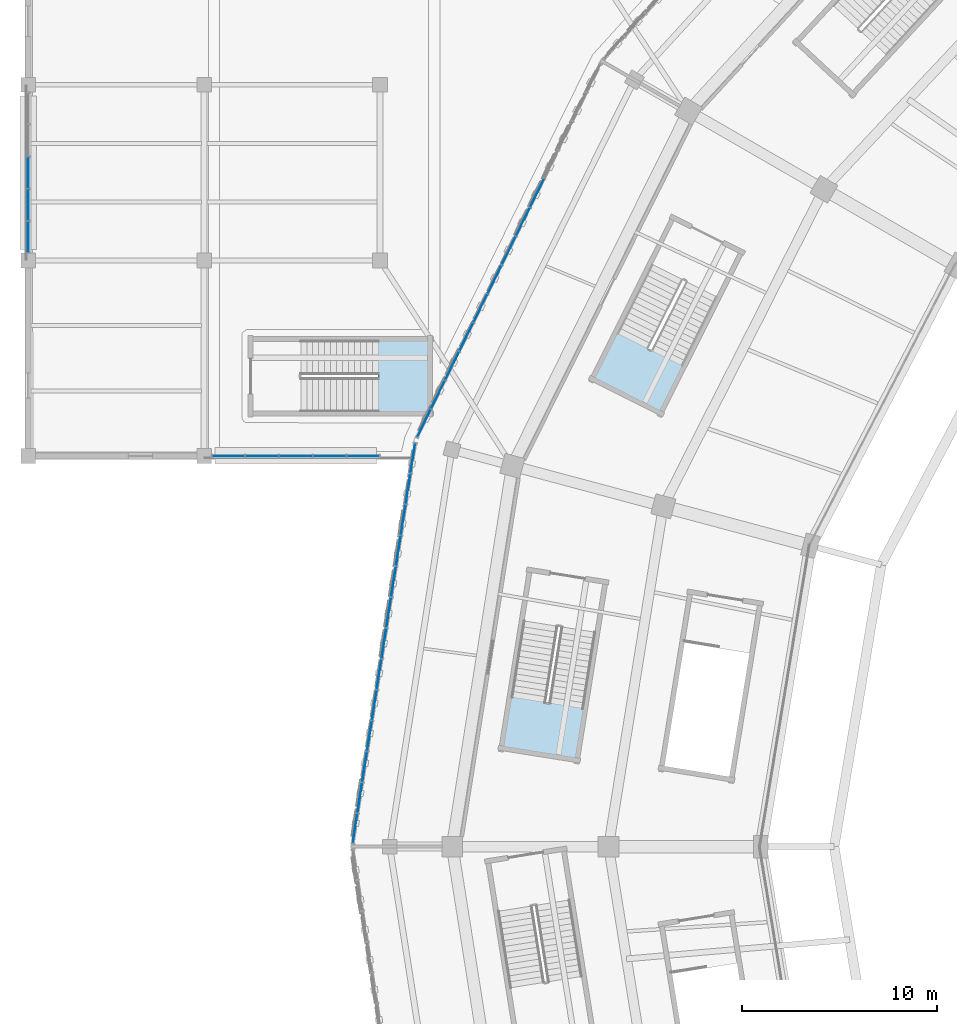
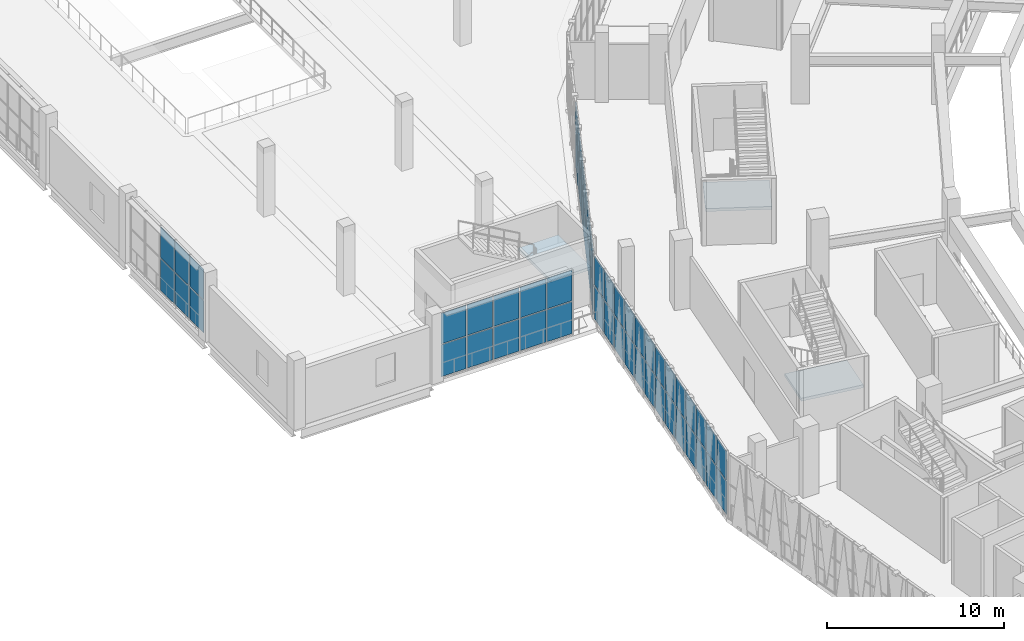
# One storey, part 80 of 179: 60 plates, 3 slabs, 7 elements without a shape of their own.
"""IFC4 building model written with IfcOpenShell, lengths in metres."""

from ifc_helpers import new_model, si_unit, direction, frame, origin, origin_2d, place, context, subcontext, project, spatial, polyline, rectangle, outline, extrude, material, layer, layer_set, type_object, element, aggregate, save


model = new_model("IFC4")

# Units and contexts
model_context = context("Model", 3, precision=1e-05, world=origin(), true_north=direction((0.0, 1.0)))
body_context = subcontext(model_context, "Body", "Model", "MODEL_VIEW")
ifc_project = project(units=[si_unit("LENGTHUNIT", "METRE"), si_unit("AREAUNIT", "SQUARE_METRE"), si_unit("VOLUMEUNIT", "CUBIC_METRE"), si_unit("PLANEANGLEUNIT", "RADIAN"), si_unit("MASSUNIT", "GRAM", prefix="KILO")], contexts=[model_context])

# Site, building, storey
site_placement = place(None, origin())
site = spatial("IfcSite", under=ifc_project, at=site_placement, CompositionType="ELEMENT")
building_placement = place(site_placement, origin())
building = spatial("IfcBuilding", under=site, at=building_placement, Name="Zevraka Park Crest Stadium", CompositionType="ELEMENT")
storey_placement = place(building_placement, frame((0.0, 0.0, 10.199951171875)))
storey = spatial("IfcBuildingStorey", under=building, at=storey_placement, Name="L02", CompositionType="ELEMENT", Elevation=10.199951171875)

# Curtain wall, plates
ifc_material_1 = material(Name="Anodised architectural aluminium and laminated safety glass", Category="aluminium")
curtain_wall_type_1 = type_object("IfcCurtainWallType", Name="CW06", PredefinedType="NOTDEFINED", material=ifc_material_1)
curtain_wall_1_placement = place(storey_placement, origin())
curtain_wall_1 = element("IfcCurtainWall", 1, at=curtain_wall_1_placement, inside=storey, type_object=curtain_wall_type_1, Name="Unitised Ring Curtain Wall CW06 L02-11", PredefinedType="NOTDEFINED")
ifc_material_2 = material(Name="Solar-control laminated double glazing", Category="glass")
ifc_layer_1 = layer(ifc_material_2, 0.028076171875)
ifc_layer_set_1 = layer_set([ifc_layer_1], Name="Solar-control laminated double glazing")
plate_type_1 = type_object("IfcPlateType", Name="CP06", PredefinedType="CURTAIN_PANEL", material=ifc_layer_set_1)
plate_1_placement = place(storey_placement, frame((19.684814453125, 111.8759765625, 0.070068359375), z_axis=(0.0, 0.0, 1.0), x_axis=(-0.154274252598, -0.988028063865, 0.0)))
plate_1 = element("IfcPlate", 2, at=plate_1_placement, type_object=plate_type_1, Name="CW06 panel 1.1", PredefinedType="CURTAIN_PANEL", context=body_context, shape_type="SweptSolid", body=[
    extrude(rectangle(XDim=1.49560546875, YDim=0.028076171875, at=origin_2d()), origin(), (0.0, 0.0, 1.0), 2.294921875),
])
plate_2_placement = place(storey_placement, frame((19.684814453125, 111.8759765625, 2.43505859375), z_axis=(0.0, 0.0, 1.0), x_axis=(-0.154274252598, -0.988028063865, 0.0)))
plate_2 = element("IfcPlate", 3, at=plate_2_placement, type_object=plate_type_1, Name="CW06 panel 1.2", PredefinedType="CURTAIN_PANEL", context=body_context, shape_type="SweptSolid", body=[
    extrude(rectangle(XDim=1.49560546875, YDim=0.028076171875, at=origin_2d()), origin(), (0.0, 0.0, 1.0), 1.9951171875),
])
plate_3_placement = place(storey_placement, frame((19.440673828125, 110.31201171875, 0.070068359375), z_axis=(0.0, 0.0, 1.0), x_axis=(-0.154274252598, -0.988028063865, 0.0)))
plate_3 = element("IfcPlate", 4, at=plate_3_placement, type_object=plate_type_1, Name="CW06 panel 2.1", PredefinedType="CURTAIN_PANEL", context=body_context, shape_type="SweptSolid", body=[
    extrude(rectangle(XDim=1.530517578125, YDim=0.028076171875, at=origin_2d()), origin(), (0.0, 0.0, 1.0), 2.294921875),
])
plate_4_placement = place(storey_placement, frame((19.440673828125, 110.31201171875, 2.43505859375), z_axis=(0.0, 0.0, 1.0), x_axis=(-0.154274252598, -0.988028063865, 0.0)))
plate_4 = element("IfcPlate", 5, at=plate_4_placement, type_object=plate_type_1, Name="CW06 panel 2.2", PredefinedType="CURTAIN_PANEL", context=body_context, shape_type="SweptSolid", body=[
    extrude(rectangle(XDim=1.530517578125, YDim=0.028076171875, at=origin_2d()), origin(), (0.0, 0.0, 1.0), 1.9951171875),
])
plate_5_placement = place(storey_placement, frame((19.193603515625, 108.73046875, 0.070068359375), z_axis=(0.0, 0.0, 1.0), x_axis=(-0.154274252598, -0.988028063865, 0.0)))
plate_5 = element("IfcPlate", 6, at=plate_5_placement, type_object=plate_type_1, Name="CW06 panel 3.1", PredefinedType="CURTAIN_PANEL", context=body_context, shape_type="SweptSolid", body=[
    extrude(rectangle(XDim=1.530517578125, YDim=0.028076171875, at=origin_2d()), origin(), (0.0, 0.0, 1.0), 2.294921875),
])
plate_6_placement = place(storey_placement, frame((19.193603515625, 108.73046875, 2.43505859375), z_axis=(0.0, 0.0, 1.0), x_axis=(-0.154274252598, -0.988028063865, 0.0)))
plate_6 = element("IfcPlate", 7, at=plate_6_placement, type_object=plate_type_1, Name="CW06 panel 3.2", PredefinedType="CURTAIN_PANEL", context=body_context, shape_type="SweptSolid", body=[
    extrude(rectangle(XDim=1.530517578125, YDim=0.028076171875, at=origin_2d()), origin(), (0.0, 0.0, 1.0), 1.9951171875),
])
plate_7_placement = place(storey_placement, frame((18.94677734375, 107.149169921875, 0.070068359375), z_axis=(0.0, 0.0, 1.0), x_axis=(-0.154274252598, -0.988028063865, 0.0)))
plate_7 = element("IfcPlate", 8, at=plate_7_placement, type_object=plate_type_1, Name="CW06 panel 4.1", PredefinedType="CURTAIN_PANEL", context=body_context, shape_type="SweptSolid", body=[
    extrude(rectangle(XDim=1.530517578125, YDim=0.028076171875, at=origin_2d()), origin(), (0.0, 0.0, 1.0), 2.294921875),
])
plate_8_placement = place(storey_placement, frame((18.94677734375, 107.149169921875, 2.43505859375), z_axis=(0.0, 0.0, 1.0), x_axis=(-0.154274252598, -0.988028063865, 0.0)))
plate_8 = element("IfcPlate", 9, at=plate_8_placement, type_object=plate_type_1, Name="CW06 panel 4.2", PredefinedType="CURTAIN_PANEL", context=body_context, shape_type="SweptSolid", body=[
    extrude(rectangle(XDim=1.530517578125, YDim=0.028076171875, at=origin_2d()), origin(), (0.0, 0.0, 1.0), 1.9951171875),
])
plate_9_placement = place(storey_placement, frame((18.699951171875, 105.56787109375, 0.070068359375), z_axis=(0.0, 0.0, 1.0), x_axis=(-0.154274252598, -0.988028063865, 0.0)))
plate_9 = element("IfcPlate", 10, at=plate_9_placement, type_object=plate_type_1, Name="CW06 panel 5.1", PredefinedType="CURTAIN_PANEL", context=body_context, shape_type="SweptSolid", body=[
    extrude(rectangle(XDim=1.530517578125, YDim=0.028076171875, at=origin_2d()), origin(), (0.0, 0.0, 1.0), 2.294921875),
])
plate_10_placement = place(storey_placement, frame((18.699951171875, 105.56787109375, 2.43505859375), z_axis=(0.0, 0.0, 1.0), x_axis=(-0.154274252598, -0.988028063865, 0.0)))
plate_10 = element("IfcPlate", 11, at=plate_10_placement, type_object=plate_type_1, Name="CW06 panel 5.2", PredefinedType="CURTAIN_PANEL", context=body_context, shape_type="SweptSolid", body=[
    extrude(rectangle(XDim=1.530517578125, YDim=0.028076171875, at=origin_2d()), origin(), (0.0, 0.0, 1.0), 1.9951171875),
])
plate_11_placement = place(storey_placement, frame((18.452880859375, 103.986328125, 0.070068359375), z_axis=(0.0, 0.0, 1.0), x_axis=(-0.154274252598, -0.988028063865, 0.0)))
plate_11 = element("IfcPlate", 12, at=plate_11_placement, type_object=plate_type_1, Name="CW06 panel 6.1", PredefinedType="CURTAIN_PANEL", context=body_context, shape_type="SweptSolid", body=[
    extrude(rectangle(XDim=1.530517578125, YDim=0.028076171875, at=origin_2d()), origin(), (0.0, 0.0, 1.0), 2.294921875),
])
plate_12_placement = place(storey_placement, frame((18.452880859375, 103.986328125, 2.43505859375), z_axis=(0.0, 0.0, 1.0), x_axis=(-0.154274252598, -0.988028063865, 0.0)))
plate_12 = element("IfcPlate", 13, at=plate_12_placement, type_object=plate_type_1, Name="CW06 panel 6.2", PredefinedType="CURTAIN_PANEL", context=body_context, shape_type="SweptSolid", body=[
    extrude(rectangle(XDim=1.530517578125, YDim=0.028076171875, at=origin_2d()), origin(), (0.0, 0.0, 1.0), 1.9951171875),
])
plate_13_placement = place(storey_placement, frame((18.2060546875, 102.405029296875, 0.070068359375), z_axis=(0.0, 0.0, 1.0), x_axis=(-0.154274252598, -0.988028063865, 0.0)))
plate_13 = element("IfcPlate", 14, at=plate_13_placement, type_object=plate_type_1, Name="CW06 panel 7.1", PredefinedType="CURTAIN_PANEL", context=body_context, shape_type="SweptSolid", body=[
    extrude(rectangle(XDim=1.530517578125, YDim=0.028076171875, at=origin_2d()), origin(), (0.0, 0.0, 1.0), 2.294921875),
])
plate_14_placement = place(storey_placement, frame((18.2060546875, 102.405029296875, 2.43505859375), z_axis=(0.0, 0.0, 1.0), x_axis=(-0.154274252598, -0.988028063865, 0.0)))
plate_14 = element("IfcPlate", 15, at=plate_14_placement, type_object=plate_type_1, Name="CW06 panel 7.2", PredefinedType="CURTAIN_PANEL", context=body_context, shape_type="SweptSolid", body=[
    extrude(rectangle(XDim=1.530517578125, YDim=0.028076171875, at=origin_2d()), origin(), (0.0, 0.0, 1.0), 1.9951171875),
])
plate_15_placement = place(storey_placement, frame((17.958984375, 100.82373046875, 0.070068359375), z_axis=(0.0, 0.0, 1.0), x_axis=(-0.154274252598, -0.988028063865, 0.0)))
plate_15 = element("IfcPlate", 16, at=plate_15_placement, type_object=plate_type_1, Name="CW06 panel 8.1", PredefinedType="CURTAIN_PANEL", context=body_context, shape_type="SweptSolid", body=[
    extrude(rectangle(XDim=1.530517578125, YDim=0.028076171875, at=origin_2d()), origin(), (0.0, 0.0, 1.0), 2.294921875),
])
plate_16_placement = place(storey_placement, frame((17.958984375, 100.82373046875, 2.43505859375), z_axis=(0.0, 0.0, 1.0), x_axis=(-0.154274252598, -0.988028063865, 0.0)))
plate_16 = element("IfcPlate", 17, at=plate_16_placement, type_object=plate_type_1, Name="CW06 panel 8.2", PredefinedType="CURTAIN_PANEL", context=body_context, shape_type="SweptSolid", body=[
    extrude(rectangle(XDim=1.530517578125, YDim=0.028076171875, at=origin_2d()), origin(), (0.0, 0.0, 1.0), 1.9951171875),
])
plate_17_placement = place(storey_placement, frame((17.712158203125, 99.2421875, 0.070068359375), z_axis=(0.0, 0.0, 1.0), x_axis=(-0.154274252598, -0.988028063865, 0.0)))
plate_17 = element("IfcPlate", 18, at=plate_17_placement, type_object=plate_type_1, Name="CW06 panel 9.1", PredefinedType="CURTAIN_PANEL", context=body_context, shape_type="SweptSolid", body=[
    extrude(rectangle(XDim=1.530517578125, YDim=0.028076171875, at=origin_2d()), origin(), (0.0, 0.0, 1.0), 2.294921875),
])
plate_18_placement = place(storey_placement, frame((17.712158203125, 99.2421875, 2.43505859375), z_axis=(0.0, 0.0, 1.0), x_axis=(-0.154274252598, -0.988028063865, 0.0)))
plate_18 = element("IfcPlate", 19, at=plate_18_placement, type_object=plate_type_1, Name="CW06 panel 9.2", PredefinedType="CURTAIN_PANEL", context=body_context, shape_type="SweptSolid", body=[
    extrude(rectangle(XDim=1.530517578125, YDim=0.028076171875, at=origin_2d()), origin(), (0.0, 0.0, 1.0), 1.9951171875),
])
plate_19_placement = place(storey_placement, frame((17.46533203125, 97.660888671875, 0.070068359375), z_axis=(0.0, 0.0, 1.0), x_axis=(-0.154274252598, -0.988028063865, 0.0)))
plate_19 = element("IfcPlate", 20, at=plate_19_placement, type_object=plate_type_1, Name="CW06 panel 10.1", PredefinedType="CURTAIN_PANEL", context=body_context, shape_type="SweptSolid", body=[
    extrude(rectangle(XDim=1.530517578125, YDim=0.028076171875, at=origin_2d()), origin(), (0.0, 0.0, 1.0), 2.294921875),
])
plate_20_placement = place(storey_placement, frame((17.46533203125, 97.660888671875, 2.43505859375), z_axis=(0.0, 0.0, 1.0), x_axis=(-0.154274252598, -0.988028063865, 0.0)))
plate_20 = element("IfcPlate", 21, at=plate_20_placement, type_object=plate_type_1, Name="CW06 panel 10.2", PredefinedType="CURTAIN_PANEL", context=body_context, shape_type="SweptSolid", body=[
    extrude(rectangle(XDim=1.530517578125, YDim=0.028076171875, at=origin_2d()), origin(), (0.0, 0.0, 1.0), 1.9951171875),
])
plate_21_placement = place(storey_placement, frame((17.21826171875, 96.079345703125, 0.070068359375), z_axis=(0.0, 0.0, 1.0), x_axis=(-0.154274252598, -0.988028063865, 0.0)))
plate_21 = element("IfcPlate", 22, at=plate_21_placement, type_object=plate_type_1, Name="CW06 panel 11.1", PredefinedType="CURTAIN_PANEL", context=body_context, shape_type="SweptSolid", body=[
    extrude(rectangle(XDim=1.530517578125, YDim=0.028076171875, at=origin_2d()), origin(), (0.0, 0.0, 1.0), 2.294921875),
])
plate_22_placement = place(storey_placement, frame((17.21826171875, 96.079345703125, 2.43505859375), z_axis=(0.0, 0.0, 1.0), x_axis=(-0.154274252598, -0.988028063865, 0.0)))
plate_22 = element("IfcPlate", 23, at=plate_22_placement, type_object=plate_type_1, Name="CW06 panel 11.2", PredefinedType="CURTAIN_PANEL", context=body_context, shape_type="SweptSolid", body=[
    extrude(rectangle(XDim=1.530517578125, YDim=0.028076171875, at=origin_2d()), origin(), (0.0, 0.0, 1.0), 1.9951171875),
])
plate_23_placement = place(storey_placement, frame((16.971435546875, 94.498046875, 0.070068359375), z_axis=(0.0, 0.0, 1.0), x_axis=(-0.154274252598, -0.988028063865, 0.0)))
plate_23 = element("IfcPlate", 24, at=plate_23_placement, type_object=plate_type_1, Name="CW06 panel 12.1", PredefinedType="CURTAIN_PANEL", context=body_context, shape_type="SweptSolid", body=[
    extrude(rectangle(XDim=1.530517578125, YDim=0.028076171875, at=origin_2d()), origin(), (0.0, 0.0, 1.0), 2.294921875),
])
plate_24_placement = place(storey_placement, frame((16.971435546875, 94.498046875, 2.43505859375), z_axis=(0.0, 0.0, 1.0), x_axis=(-0.154274252598, -0.988028063865, 0.0)))
plate_24 = element("IfcPlate", 25, at=plate_24_placement, type_object=plate_type_1, Name="CW06 panel 12.2", PredefinedType="CURTAIN_PANEL", context=body_context, shape_type="SweptSolid", body=[
    extrude(rectangle(XDim=1.530517578125, YDim=0.028076171875, at=origin_2d()), origin(), (0.0, 0.0, 1.0), 1.9951171875),
])
plate_25_placement = place(storey_placement, frame((16.72705078125, 92.93408203125, 0.070068359375), z_axis=(0.0, 0.0, 1.0), x_axis=(-0.154274252598, -0.988028063865, 0.0)))
plate_25 = element("IfcPlate", 26, at=plate_25_placement, type_object=plate_type_1, Name="CW06 panel 13.1", PredefinedType="CURTAIN_PANEL", context=body_context, shape_type="SweptSolid", body=[
    extrude(rectangle(XDim=1.49560546875, YDim=0.028076171875, at=origin_2d()), origin(), (0.0, 0.0, 1.0), 2.294921875),
])
plate_26_placement = place(storey_placement, frame((16.72705078125, 92.93408203125, 2.43505859375), z_axis=(0.0, 0.0, 1.0), x_axis=(-0.154274252598, -0.988028063865, 0.0)))
plate_26 = element("IfcPlate", 27, at=plate_26_placement, type_object=plate_type_1, Name="CW06 panel 13.2", PredefinedType="CURTAIN_PANEL", context=body_context, shape_type="SweptSolid", body=[
    extrude(rectangle(XDim=1.49560546875, YDim=0.028076171875, at=origin_2d()), origin(), (0.0, 0.0, 1.0), 1.9951171875),
])
aggregate(curtain_wall_1, [plate_1, plate_2, plate_3, plate_4, plate_5, plate_6, plate_7, plate_8, plate_9, plate_10, plate_11, plate_12, plate_13, plate_14, plate_15, plate_16, plate_17, plate_18, plate_19, plate_20, plate_21, plate_22, plate_23, plate_24, plate_25, plate_26])

ifc_material_3 = material(Name="Anodised architectural aluminium and laminated safety glass", Category="aluminium")
curtain_wall_type_2 = type_object("IfcCurtainWallType", Name="CW07", PredefinedType="NOTDEFINED", material=ifc_material_3)
curtain_wall_2_placement = place(storey_placement, origin())
curtain_wall_2 = element("IfcCurtainWall", 28, at=curtain_wall_2_placement, inside=storey, type_object=curtain_wall_type_2, Name="Unitised Ring Curtain Wall CW07 L02-10", PredefinedType="NOTDEFINED")
ifc_material_4 = material(Name="Solar-control laminated double glazing", Category="glass")
ifc_layer_2 = layer(ifc_material_4, 0.028076171875)
ifc_layer_set_2 = layer_set([ifc_layer_2], Name="Solar-control laminated double glazing")
plate_type_2 = type_object("IfcPlateType", Name="CP07", PredefinedType="CURTAIN_PANEL", material=ifc_layer_set_2)
plate_27_placement = place(storey_placement, frame((26.045166015625, 125.455322265625, 0.06005859375), z_axis=(0.0, 0.0, 1.0), x_axis=(-0.441021032455, -0.897496768201, 0.0)))
plate_27 = element("IfcPlate", 29, at=plate_27_placement, type_object=plate_type_2, Name="CW07 panel 5.1", PredefinedType="CURTAIN_PANEL", context=body_context, shape_type="SweptSolid", body=[
    extrude(rectangle(XDim=1.58251953125, YDim=0.028076171875, at=origin_2d()), origin(), (0.0, 0.0, 1.0), 2.31005859375),
])
plate_28_placement = place(storey_placement, frame((26.045166015625, 125.455322265625, 2.43017578125), z_axis=(0.0, 0.0, 1.0), x_axis=(-0.441021032455, -0.897496768201, 0.0)))
plate_28 = element("IfcPlate", 30, at=plate_28_placement, type_object=plate_type_2, Name="CW07 panel 5.2", PredefinedType="CURTAIN_PANEL", context=body_context, shape_type="SweptSolid", body=[
    extrude(rectangle(XDim=1.58251953125, YDim=0.028076171875, at=origin_2d()), origin(), (0.0, 0.0, 1.0), 2.010009765625),
])
plate_29_placement = place(storey_placement, frame((25.32080078125, 123.981201171875, 0.06005859375), z_axis=(0.0, 0.0, 1.0), x_axis=(-0.441021032455, -0.897496768201, 0.0)))
plate_29 = element("IfcPlate", 31, at=plate_29_placement, type_object=plate_type_2, Name="CW07 panel 6.1", PredefinedType="CURTAIN_PANEL", context=body_context, shape_type="SweptSolid", body=[
    extrude(rectangle(XDim=1.58251953125, YDim=0.028076171875, at=origin_2d()), origin(), (0.0, 0.0, 1.0), 2.31005859375),
])
plate_30_placement = place(storey_placement, frame((25.32080078125, 123.981201171875, 2.43017578125), z_axis=(0.0, 0.0, 1.0), x_axis=(-0.441021032455, -0.897496768201, 0.0)))
plate_30 = element("IfcPlate", 32, at=plate_30_placement, type_object=plate_type_2, Name="CW07 panel 6.2", PredefinedType="CURTAIN_PANEL", context=body_context, shape_type="SweptSolid", body=[
    extrude(rectangle(XDim=1.58251953125, YDim=0.028076171875, at=origin_2d()), origin(), (0.0, 0.0, 1.0), 2.010009765625),
])
plate_31_placement = place(storey_placement, frame((24.596435546875, 122.507080078125, 0.06005859375), z_axis=(0.0, 0.0, 1.0), x_axis=(-0.441021032455, -0.897496768201, 0.0)))
plate_31 = element("IfcPlate", 33, at=plate_31_placement, type_object=plate_type_2, Name="CW07 panel 7.1", PredefinedType="CURTAIN_PANEL", context=body_context, shape_type="SweptSolid", body=[
    extrude(rectangle(XDim=1.58251953125, YDim=0.028076171875, at=origin_2d()), origin(), (0.0, 0.0, 1.0), 2.31005859375),
])
plate_32_placement = place(storey_placement, frame((24.596435546875, 122.507080078125, 2.43017578125), z_axis=(0.0, 0.0, 1.0), x_axis=(-0.441021032455, -0.897496768201, 0.0)))
plate_32 = element("IfcPlate", 34, at=plate_32_placement, type_object=plate_type_2, Name="CW07 panel 7.2", PredefinedType="CURTAIN_PANEL", context=body_context, shape_type="SweptSolid", body=[
    extrude(rectangle(XDim=1.58251953125, YDim=0.028076171875, at=origin_2d()), origin(), (0.0, 0.0, 1.0), 2.010009765625),
])
plate_33_placement = place(storey_placement, frame((23.8720703125, 121.032958984375, 0.06005859375), z_axis=(0.0, 0.0, 1.0), x_axis=(-0.441021032455, -0.897496768201, 0.0)))
plate_33 = element("IfcPlate", 35, at=plate_33_placement, type_object=plate_type_2, Name="CW07 panel 8.1", PredefinedType="CURTAIN_PANEL", context=body_context, shape_type="SweptSolid", body=[
    extrude(rectangle(XDim=1.58251953125, YDim=0.028076171875, at=origin_2d()), origin(), (0.0, 0.0, 1.0), 2.31005859375),
])
plate_34_placement = place(storey_placement, frame((23.8720703125, 121.032958984375, 2.43017578125), z_axis=(0.0, 0.0, 1.0), x_axis=(-0.441021032455, -0.897496768201, 0.0)))
plate_34 = element("IfcPlate", 36, at=plate_34_placement, type_object=plate_type_2, Name="CW07 panel 8.2", PredefinedType="CURTAIN_PANEL", context=body_context, shape_type="SweptSolid", body=[
    extrude(rectangle(XDim=1.58251953125, YDim=0.028076171875, at=origin_2d()), origin(), (0.0, 0.0, 1.0), 2.010009765625),
])
plate_35_placement = place(storey_placement, frame((23.147705078125, 119.55859375, 0.06005859375), z_axis=(0.0, 0.0, 1.0), x_axis=(-0.441021032455, -0.897496768201, 0.0)))
plate_35 = element("IfcPlate", 37, at=plate_35_placement, type_object=plate_type_2, Name="CW07 panel 9.1", PredefinedType="CURTAIN_PANEL", context=body_context, shape_type="SweptSolid", body=[
    extrude(rectangle(XDim=1.58251953125, YDim=0.028076171875, at=origin_2d()), origin(), (0.0, 0.0, 1.0), 2.31005859375),
])
plate_36_placement = place(storey_placement, frame((23.147705078125, 119.55859375, 2.43017578125), z_axis=(0.0, 0.0, 1.0), x_axis=(-0.441021032455, -0.897496768201, 0.0)))
plate_36 = element("IfcPlate", 38, at=plate_36_placement, type_object=plate_type_2, Name="CW07 panel 9.2", PredefinedType="CURTAIN_PANEL", context=body_context, shape_type="SweptSolid", body=[
    extrude(rectangle(XDim=1.58251953125, YDim=0.028076171875, at=origin_2d()), origin(), (0.0, 0.0, 1.0), 2.010009765625),
])
plate_37_placement = place(storey_placement, frame((22.42333984375, 118.08447265625, 0.06005859375), z_axis=(0.0, 0.0, 1.0), x_axis=(-0.441021032455, -0.897496768201, 0.0)))
plate_37 = element("IfcPlate", 39, at=plate_37_placement, type_object=plate_type_2, Name="CW07 panel 10.1", PredefinedType="CURTAIN_PANEL", context=body_context, shape_type="SweptSolid", body=[
    extrude(rectangle(XDim=1.58251953125, YDim=0.028076171875, at=origin_2d()), origin(), (0.0, 0.0, 1.0), 2.31005859375),
])
plate_38_placement = place(storey_placement, frame((22.42333984375, 118.08447265625, 2.43017578125), z_axis=(0.0, 0.0, 1.0), x_axis=(-0.441021032455, -0.897496768201, 0.0)))
plate_38 = element("IfcPlate", 40, at=plate_38_placement, type_object=plate_type_2, Name="CW07 panel 10.2", PredefinedType="CURTAIN_PANEL", context=body_context, shape_type="SweptSolid", body=[
    extrude(rectangle(XDim=1.58251953125, YDim=0.028076171875, at=origin_2d()), origin(), (0.0, 0.0, 1.0), 2.010009765625),
])
plate_39_placement = place(storey_placement, frame((21.698974609375, 116.6103515625, 0.06005859375), z_axis=(0.0, 0.0, 1.0), x_axis=(-0.441021032455, -0.897496768201, 0.0)))
plate_39 = element("IfcPlate", 41, at=plate_39_placement, type_object=plate_type_2, Name="CW07 panel 11.1", PredefinedType="CURTAIN_PANEL", context=body_context, shape_type="SweptSolid", body=[
    extrude(rectangle(XDim=1.58251953125, YDim=0.028076171875, at=origin_2d()), origin(), (0.0, 0.0, 1.0), 2.31005859375),
])
plate_40_placement = place(storey_placement, frame((21.698974609375, 116.6103515625, 2.43017578125), z_axis=(0.0, 0.0, 1.0), x_axis=(-0.441021032455, -0.897496768201, 0.0)))
plate_40 = element("IfcPlate", 42, at=plate_40_placement, type_object=plate_type_2, Name="CW07 panel 11.2", PredefinedType="CURTAIN_PANEL", context=body_context, shape_type="SweptSolid", body=[
    extrude(rectangle(XDim=1.58251953125, YDim=0.028076171875, at=origin_2d()), origin(), (0.0, 0.0, 1.0), 2.010009765625),
])
plate_41_placement = place(storey_placement, frame((20.974609375, 115.13623046875, 0.06005859375), z_axis=(0.0, 0.0, 1.0), x_axis=(-0.441021032455, -0.897496768201, 0.0)))
plate_41 = element("IfcPlate", 43, at=plate_41_placement, type_object=plate_type_2, Name="CW07 panel 12.1", PredefinedType="CURTAIN_PANEL", context=body_context, shape_type="SweptSolid", body=[
    extrude(rectangle(XDim=1.58251953125, YDim=0.028076171875, at=origin_2d()), origin(), (0.0, 0.0, 1.0), 2.31005859375),
])
plate_42_placement = place(storey_placement, frame((20.974609375, 115.13623046875, 2.43017578125), z_axis=(0.0, 0.0, 1.0), x_axis=(-0.441021032455, -0.897496768201, 0.0)))
plate_42 = element("IfcPlate", 44, at=plate_42_placement, type_object=plate_type_2, Name="CW07 panel 12.2", PredefinedType="CURTAIN_PANEL", context=body_context, shape_type="SweptSolid", body=[
    extrude(rectangle(XDim=1.58251953125, YDim=0.028076171875, at=origin_2d()), origin(), (0.0, 0.0, 1.0), 2.010009765625),
])
plate_43_placement = place(storey_placement, frame((20.2568359375, 113.675537109375, 0.06005859375), z_axis=(0.0, 0.0, 1.0), x_axis=(-0.441021032455, -0.897496768201, 0.0)))
plate_43 = element("IfcPlate", 45, at=plate_43_placement, type_object=plate_type_2, Name="CW07 panel 13.1", PredefinedType="CURTAIN_PANEL", context=body_context, shape_type="SweptSolid", body=[
    extrude(rectangle(XDim=1.552490234375, YDim=0.028076171875, at=origin_2d()), origin(), (0.0, 0.0, 1.0), 2.31005859375),
])
plate_44_placement = place(storey_placement, frame((20.2568359375, 113.675537109375, 2.43017578125), z_axis=(0.0, 0.0, 1.0), x_axis=(-0.441021032455, -0.897496768201, 0.0)))
plate_44 = element("IfcPlate", 46, at=plate_44_placement, type_object=plate_type_2, Name="CW07 panel 13.2", PredefinedType="CURTAIN_PANEL", context=body_context, shape_type="SweptSolid", body=[
    extrude(rectangle(XDim=1.552490234375, YDim=0.028076171875, at=origin_2d()), origin(), (0.0, 0.0, 1.0), 2.010009765625),
])
aggregate(curtain_wall_2, [plate_27, plate_28, plate_29, plate_30, plate_31, plate_32, plate_33, plate_34, plate_35, plate_36, plate_37, plate_38, plate_39, plate_40, plate_41, plate_42, plate_43, plate_44])

ifc_material_5 = material(Name="Anodised architectural aluminium and laminated safety glass", Category="aluminium")
curtain_wall_type_3 = type_object("IfcCurtainWallType", Name="CW29", PredefinedType="NOTDEFINED", material=ifc_material_5)
curtain_wall_3_placement = place(storey_placement, origin())
curtain_wall_3 = element("IfcCurtainWall", 47, at=curtain_wall_3_placement, inside=storey, type_object=curtain_wall_type_3, Name="Wing Curtain Wall CW29 L02-NW-W-2", PredefinedType="NOTDEFINED")
ifc_material_6 = material(Name="Solar-control laminated double glazing", Category="glass")
ifc_layer_3 = layer(ifc_material_6, 0.035888671875)
ifc_layer_set_3 = layer_set([ifc_layer_3], Name="Solar-control laminated double glazing")
plate_type_3 = type_object("IfcPlateType", Name="CP29", PredefinedType="CURTAIN_PANEL", material=ifc_layer_set_3)
plate_45_placement = place(storey_placement, frame((0.0, 123.208251953125, 0.06494140625), z_axis=(0.0, 0.0, 1.0), x_axis=(0.0, 1.0, 0.0)))
plate_45 = element("IfcPlate", 48, at=plate_45_placement, type_object=plate_type_3, Name="CW29 panel 1.1", PredefinedType="CURTAIN_PANEL", context=body_context, shape_type="SweptSolid", body=[
    extrude(rectangle(XDim=1.556396484375, YDim=0.035888671875, at=origin_2d()), origin(), (0.0, 0.0, 1.0), 2.202392578125),
])
plate_46_placement = place(storey_placement, frame((0.0, 123.208251953125, 2.33251953125), z_axis=(0.0, 0.0, 1.0), x_axis=(0.0, 1.0, 0.0)))
plate_46 = element("IfcPlate", 49, at=plate_46_placement, type_object=plate_type_3, Name="CW29 panel 1.2", PredefinedType="CURTAIN_PANEL", context=body_context, shape_type="SweptSolid", body=[
    extrude(rectangle(XDim=1.556396484375, YDim=0.035888671875, at=origin_2d()), origin(), (0.0, 0.0, 1.0), 2.1025390625),
])
plate_47_placement = place(storey_placement, frame((0.0, 124.845947265625, 0.06494140625), z_axis=(0.0, 0.0, 1.0), x_axis=(0.0, 1.0, 0.0)))
plate_47 = element("IfcPlate", 50, at=plate_47_placement, type_object=plate_type_3, Name="CW29 panel 2.1", PredefinedType="CURTAIN_PANEL", context=body_context, shape_type="SweptSolid", body=[
    extrude(rectangle(XDim=1.589111328125, YDim=0.035888671875, at=origin_2d()), origin(), (0.0, 0.0, 1.0), 2.202392578125),
])
plate_48_placement = place(storey_placement, frame((0.0, 124.845947265625, 2.33251953125), z_axis=(0.0, 0.0, 1.0), x_axis=(0.0, 1.0, 0.0)))
plate_48 = element("IfcPlate", 51, at=plate_48_placement, type_object=plate_type_3, Name="CW29 panel 2.2", PredefinedType="CURTAIN_PANEL", context=body_context, shape_type="SweptSolid", body=[
    extrude(rectangle(XDim=1.589111328125, YDim=0.035888671875, at=origin_2d()), origin(), (0.0, 0.0, 1.0), 2.1025390625),
])
plate_49_placement = place(storey_placement, frame((0.0, 126.5, 0.06494140625), z_axis=(0.0, 0.0, 1.0), x_axis=(0.0, 1.0, 0.0)))
plate_49 = element("IfcPlate", 52, at=plate_49_placement, type_object=plate_type_3, Name="CW29 panel 3.1", PredefinedType="CURTAIN_PANEL", context=body_context, shape_type="SweptSolid", body=[
    extrude(rectangle(XDim=1.589111328125, YDim=0.035888671875, at=origin_2d()), origin(), (0.0, 0.0, 1.0), 2.202392578125),
])
plate_50_placement = place(storey_placement, frame((0.0, 126.5, 2.33251953125), z_axis=(0.0, 0.0, 1.0), x_axis=(0.0, 1.0, 0.0)))
plate_50 = element("IfcPlate", 53, at=plate_50_placement, type_object=plate_type_3, Name="CW29 panel 3.2", PredefinedType="CURTAIN_PANEL", context=body_context, shape_type="SweptSolid", body=[
    extrude(rectangle(XDim=1.589111328125, YDim=0.035888671875, at=origin_2d()), origin(), (0.0, 0.0, 1.0), 2.1025390625),
])
aggregate(curtain_wall_3, [plate_45, plate_46, plate_47, plate_48, plate_49, plate_50])

curtain_wall_4_placement = place(storey_placement, origin())
curtain_wall_4 = element("IfcCurtainWall", 54, at=curtain_wall_4_placement, inside=storey, type_object=curtain_wall_type_3, Name="Wing Curtain Wall CW29 L02-NW-S0-2", PredefinedType="NOTDEFINED")
plate_51_placement = place(storey_placement, frame((17.1337890625, 112.0, 0.06494140625), z_axis=(0.0, 0.0, 1.0), x_axis=(-1.0, 0.0, 0.0)))
plate_51 = element("IfcPlate", 55, at=plate_51_placement, type_object=plate_type_3, Name="CW29 panel 1.1", PredefinedType="CURTAIN_PANEL", context=body_context, shape_type="SweptSolid", body=[
    extrude(rectangle(XDim=1.632568359375, YDim=0.035888671875, at=origin_2d()), origin(), (0.0, 0.0, 1.0), 2.202392578125),
])
plate_52_placement = place(storey_placement, frame((17.1337890625, 112.0, 2.33251953125), z_axis=(0.0, 0.0, 1.0), x_axis=(-1.0, 0.0, 0.0)))
plate_52 = element("IfcPlate", 56, at=plate_52_placement, type_object=plate_type_3, Name="CW29 panel 1.2", PredefinedType="CURTAIN_PANEL", context=body_context, shape_type="SweptSolid", body=[
    extrude(rectangle(XDim=1.632568359375, YDim=0.035888671875, at=origin_2d()), origin(), (0.0, 0.0, 1.0), 2.1025390625),
])
plate_53_placement = place(storey_placement, frame((15.419921875, 112.0, 0.06494140625), z_axis=(0.0, 0.0, 1.0), x_axis=(-1.0, 0.0, 0.0)))
plate_53 = element("IfcPlate", 57, at=plate_53_placement, type_object=plate_type_3, Name="CW29 panel 2.1", PredefinedType="CURTAIN_PANEL", context=body_context, shape_type="SweptSolid", body=[
    extrude(rectangle(XDim=1.6650390625, YDim=0.035888671875, at=origin_2d()), origin(), (0.0, 0.0, 1.0), 2.202392578125),
])
plate_54_placement = place(storey_placement, frame((15.419921875, 112.0, 2.33251953125), z_axis=(0.0, 0.0, 1.0), x_axis=(-1.0, 0.0, 0.0)))
plate_54 = element("IfcPlate", 58, at=plate_54_placement, type_object=plate_type_3, Name="CW29 panel 2.2", PredefinedType="CURTAIN_PANEL", context=body_context, shape_type="SweptSolid", body=[
    extrude(rectangle(XDim=1.6650390625, YDim=0.035888671875, at=origin_2d()), origin(), (0.0, 0.0, 1.0), 2.1025390625),
])
plate_55_placement = place(storey_placement, frame((13.68994140625, 112.0, 0.06494140625), z_axis=(0.0, 0.0, 1.0), x_axis=(-1.0, 0.0, 0.0)))
plate_55 = element("IfcPlate", 59, at=plate_55_placement, type_object=plate_type_3, Name="CW29 panel 3.1", PredefinedType="CURTAIN_PANEL", context=body_context, shape_type="SweptSolid", body=[
    extrude(rectangle(XDim=1.6650390625, YDim=0.035888671875, at=origin_2d()), origin(), (0.0, 0.0, 1.0), 2.202392578125),
])
plate_56_placement = place(storey_placement, frame((13.68994140625, 112.0, 2.33251953125), z_axis=(0.0, 0.0, 1.0), x_axis=(-1.0, 0.0, 0.0)))
plate_56 = element("IfcPlate", 60, at=plate_56_placement, type_object=plate_type_3, Name="CW29 panel 3.2", PredefinedType="CURTAIN_PANEL", context=body_context, shape_type="SweptSolid", body=[
    extrude(rectangle(XDim=1.6650390625, YDim=0.035888671875, at=origin_2d()), origin(), (0.0, 0.0, 1.0), 2.1025390625),
])
plate_57_placement = place(storey_placement, frame((11.9599609375, 112.0, 0.06494140625), z_axis=(0.0, 0.0, 1.0), x_axis=(-1.0, 0.0, 0.0)))
plate_57 = element("IfcPlate", 61, at=plate_57_placement, type_object=plate_type_3, Name="CW29 panel 4.1", PredefinedType="CURTAIN_PANEL", context=body_context, shape_type="SweptSolid", body=[
    extrude(rectangle(XDim=1.6650390625, YDim=0.035888671875, at=origin_2d()), origin(), (0.0, 0.0, 1.0), 2.202392578125),
])
plate_58_placement = place(storey_placement, frame((11.9599609375, 112.0, 2.33251953125), z_axis=(0.0, 0.0, 1.0), x_axis=(-1.0, 0.0, 0.0)))
plate_58 = element("IfcPlate", 62, at=plate_58_placement, type_object=plate_type_3, Name="CW29 panel 4.2", PredefinedType="CURTAIN_PANEL", context=body_context, shape_type="SweptSolid", body=[
    extrude(rectangle(XDim=1.6650390625, YDim=0.035888671875, at=origin_2d()), origin(), (0.0, 0.0, 1.0), 2.1025390625),
])
plate_59_placement = place(storey_placement, frame((10.246337890625, 112.0, 0.06494140625), z_axis=(0.0, 0.0, 1.0), x_axis=(-1.0, 0.0, 0.0)))
plate_59 = element("IfcPlate", 63, at=plate_59_placement, type_object=plate_type_3, Name="CW29 panel 5.1", PredefinedType="CURTAIN_PANEL", context=body_context, shape_type="SweptSolid", body=[
    extrude(rectangle(XDim=1.632568359375, YDim=0.035888671875, at=origin_2d()), origin(), (0.0, 0.0, 1.0), 2.202392578125),
])
plate_60_placement = place(storey_placement, frame((10.246337890625, 112.0, 2.33251953125), z_axis=(0.0, 0.0, 1.0), x_axis=(-1.0, 0.0, 0.0)))
plate_60 = element("IfcPlate", 64, at=plate_60_placement, type_object=plate_type_3, Name="CW29 panel 5.2", PredefinedType="CURTAIN_PANEL", context=body_context, shape_type="SweptSolid", body=[
    extrude(rectangle(XDim=1.632568359375, YDim=0.035888671875, at=origin_2d()), origin(), (0.0, 0.0, 1.0), 2.1025390625),
])
aggregate(curtain_wall_4, [plate_51, plate_52, plate_53, plate_54, plate_55, plate_56, plate_57, plate_58, plate_59, plate_60])

# Stair, slab
ifc_material_7 = material(Name="Concrete C35/45", Category="concrete")
stair_type_1 = type_object("IfcStairType", Name="STA2", PredefinedType="HALF_TURN_STAIR", material=ifc_material_7)
stair_1_placement = place(storey_placement, origin())
stair_1 = element("IfcStair", 65, at=stair_1_placement, inside=storey, type_object=stair_type_1, Name="L02 Protected Concourse Exit Stair ST11", PredefinedType="HALF_TURN_STAIR")
ifc_material_8 = material(Name="Concrete C35/45", Category="concrete")
ifc_layer_4 = layer(ifc_material_8, 0.199951171875)
ifc_layer_set_4 = layer_set([ifc_layer_4], Name="Concrete C35/45")
slab_type = type_object("IfcSlabType", Name="LS01", PredefinedType="LANDING", material=ifc_layer_set_4)
slab_1_placement = place(storey_placement, frame((0.0, 0.0, 2.199951171875)))
slab_1 = element("IfcSlab", 66, at=slab_1_placement, type_object=slab_type, Name="ST11 landing 1", PredefinedType="LANDING", context=body_context, shape_type="SweptSolid", body=[
    extrude(outline(polyline([(30.138427734375, 118.296142578125), (28.969482421875, 115.962646484375), (32.3310546875, 114.278564453125), (33.500244140625, 116.612060546875), (30.138427734375, 118.296142578125)])), origin(), (0.0, 0.0, 1.0), 0.2001953125),
])
aggregate(stair_1, [slab_1])

stair_2_placement = place(storey_placement, origin())
stair_2 = element("IfcStair", 67, at=stair_2_placement, inside=storey, type_object=stair_type_1, Name="L02 Protected Concourse Exit Stair ST12", PredefinedType="HALF_TURN_STAIR")
slab_2_placement = place(storey_placement, frame((0.0, 0.0, 2.199951171875)))
slab_2 = element("IfcSlab", 68, at=slab_2_placement, type_object=slab_type, Name="ST12 landing 1", PredefinedType="LANDING", context=body_context, shape_type="SweptSolid", body=[
    extrude(outline(polyline([(24.71826171875, 99.670166015625), (24.307861328125, 97.092529296875), (28.02099609375, 96.501220703125), (28.431396484375, 99.078857421875), (24.71826171875, 99.670166015625)])), origin(), (0.0, 0.0, 1.0), 0.2001953125),
])
aggregate(stair_2, [slab_2])

ifc_material_9 = material(Name="Concrete C35/45", Category="concrete")
stair_type_2 = type_object("IfcStairType", Name="STC2", PredefinedType="HALF_TURN_STAIR", material=ifc_material_9)
stair_3_placement = place(storey_placement, origin())
stair_3 = element("IfcStair", 69, at=stair_3_placement, inside=storey, type_object=stair_type_2, Name="L02 NW Veranda Wing South-West Stair ST48", PredefinedType="HALF_TURN_STAIR")
slab_3_placement = place(storey_placement, frame((0.0, 0.0, 2.199951171875)))
slab_3 = element("IfcSlab", 70, at=slab_3_placement, type_object=slab_type, Name="ST48 landing 1", PredefinedType="LANDING", context=body_context, shape_type="SweptSolid", body=[
    extrude(outline(polyline([(17.889892578125, 114.25), (20.5, 114.25), (20.5, 117.909912109375), (17.889892578125, 117.909912109375), (17.889892578125, 114.25)])), origin(), (0.0, 0.0, 1.0), 0.2001953125),
])
aggregate(stair_3, [slab_3])

save(model, "model.ifc")
